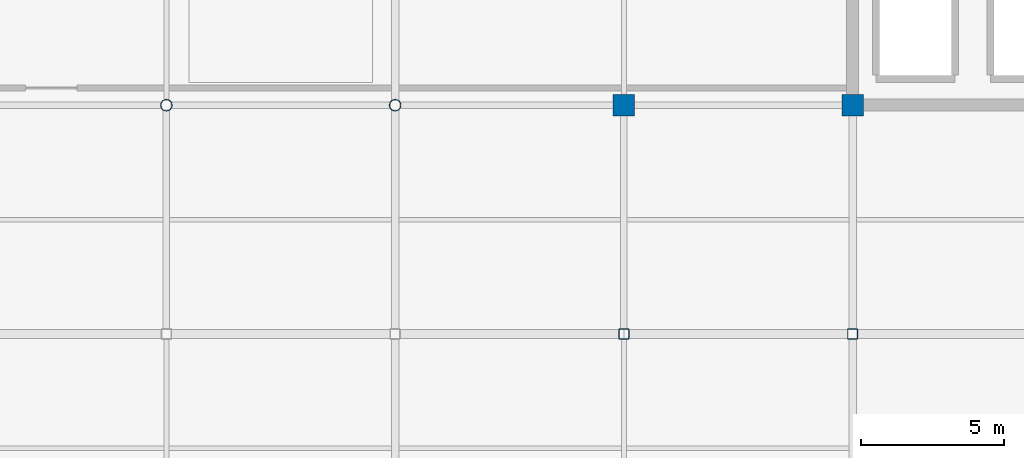
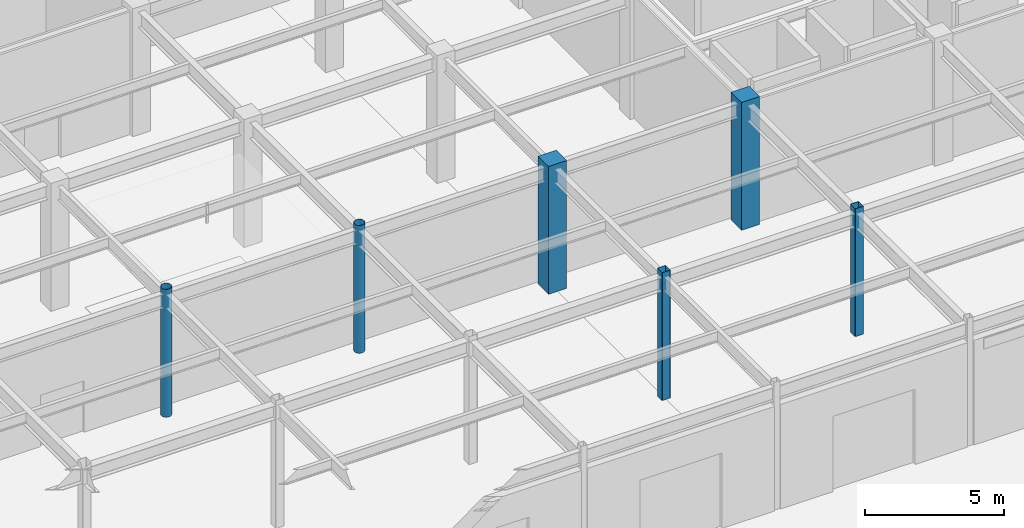
# One storey, part 29 of 128: 6 columns.
"""IFC4 building model written with IfcOpenShell, lengths in metres."""

import ifcopenshell
import ifcopenshell.guid

model = None  # the IFC model being written
_history = None  # IfcOwnerHistory: only IFC2X3 demands one
_inside = {}  # id of a spatial element -> (the spatial element, [elements in it])
_under = {}  # id of a project, library or spatial element -> (it, [spatial elements below it])
_declared = {}  # id of a project -> (the project, [libraries it declares])
_typed = {}  # id of a type object -> (the type object, [elements of that type])
_made_of = {}  # id of a material, layer set ... -> (it, [elements and type objects made of it])


def new_model(schema):
    """Start an empty IFC model of exactly this schema.

    Asked for "IFC4X3", IfcOpenShell would pick the latest addendum, in which some entities
    have other attributes; the version numbers below select the first issue.
    IFC2X3 requires an IfcOwnerHistory on every rooted entity: one is made here for all.
    """
    global model, _history
    if schema == "IFC4X3":
        model = ifcopenshell.file(schema_version=(4, 3, 0, 0))
    else:
        model = ifcopenshell.file(schema=schema)
    _inside.clear()
    _under.clear()
    _declared.clear()
    _typed.clear()
    _made_of.clear()
    _history = None
    if model.schema == "IFC2X3":
        org = make("IfcOrganization", Name="unknown")
        user = make(
            "IfcPersonAndOrganization",
            ThePerson=make("IfcPerson", FamilyName="unknown"),
            TheOrganization=org,
        )
        app = make(
            "IfcApplication",
            ApplicationDeveloper=org,
            Version="unknown",
            ApplicationFullName="unknown",
            ApplicationIdentifier="unknown",
        )
        _history = make(
            "IfcOwnerHistory",
            OwningUser=user,
            OwningApplication=app,
            ChangeAction="ADDED",
            CreationDate=0,
        )
    return model


def make(cls, **values):
    """One entity of the class cls with the attributes given. An attribute that is None is left unset."""
    return model.create_entity(
        cls, **{name: value for name, value in values.items() if value is not None}
    )


def rooted(cls, **values):
    """An entity with a GlobalId (a new one), such as an element, a storey or a relation."""
    return make(cls, GlobalId=ifcopenshell.guid.new(), OwnerHistory=_history, **values)


def si_unit(unit_type, name, prefix=None):
    """IfcSIUnit, for example si_unit("LENGTHUNIT", "METRE", prefix="MILLI")."""
    return make("IfcSIUnit", UnitType=unit_type, Prefix=prefix, Name=name)


def assignment(units):
    """IfcUnitAssignment: the units of a project."""
    return None if units is None else make("IfcUnitAssignment", Units=units)


def point(xyz):
    """IfcCartesianPoint."""
    return None if xyz is None else make("IfcCartesianPoint", Coordinates=xyz)


def direction(xyz):
    """IfcDirection."""
    return None if xyz is None else make("IfcDirection", DirectionRatios=xyz)


def frame(location, z_axis=None, x_axis=None):
    """IfcAxis2Placement3D, a coordinate frame: its origin and axes. An axis left out is left unset."""
    return make(
        "IfcAxis2Placement3D",
        Location=point(location),
        Axis=direction(z_axis),
        RefDirection=direction(x_axis),
    )


def frame_2d(location, x_axis=None):
    """IfcAxis2Placement2D, a coordinate frame in the plane: its origin and x axis."""
    return make(
        "IfcAxis2Placement2D", Location=point(location), RefDirection=direction(x_axis)
    )


def origin():
    """The frame at (0, 0, 0) with its axes left unset."""
    return frame((0.0, 0.0, 0.0))


def origin_2d():
    """The frame at (0, 0) in the plane with its x axis left unset."""
    return frame_2d((0.0, 0.0))


def place(relative_to, where):
    """IfcLocalPlacement: puts the frame where relative to a parent placement (None: the world)."""
    return make(
        "IfcLocalPlacement", PlacementRelTo=relative_to, RelativePlacement=where
    )


def context(
    kind, dimensions, precision=None, world=None, true_north=None, identifier=None
):
    """IfcGeometricRepresentationContext, for example the 3D "Model" context."""
    return make(
        "IfcGeometricRepresentationContext",
        ContextIdentifier=identifier,
        ContextType=kind,
        CoordinateSpaceDimension=dimensions,
        Precision=precision,
        WorldCoordinateSystem=world,
        TrueNorth=true_north,
    )


def subcontext(parent, identifier, kind, view, scale=None):
    """IfcGeometricRepresentationSubContext, for example "Body" below "Model"."""
    return make(
        "IfcGeometricRepresentationSubContext",
        ContextIdentifier=identifier,
        ContextType=kind,
        ParentContext=parent,
        TargetScale=scale,
        TargetView=view,
    )


def project(units=None, contexts=None):
    """IfcProject with its units and contexts."""
    return rooted(
        "IfcProject",
        Name="project",
        RepresentationContexts=contexts,
        UnitsInContext=assignment(units),
    )


def spatial(cls, under=None, at=None, **own):
    """A site, building, storey or space (cls), placed at a placement, below another one or the project."""
    s = rooted(cls, ObjectPlacement=at, **own)
    if under is not None:
        _under.setdefault(under.id(), (under, []))[1].append(s)
    return s


def profile(cls, at=None, kind="AREA", **sizes):
    """A parametric profile (cls). Its sizes go by their IFC names, for example OverallWidth=200.0."""
    return make(cls, ProfileType=kind, Position=at, **sizes)


def rectangle(**sizes):
    """IfcRectangleProfileDef."""
    return profile("IfcRectangleProfileDef", **sizes)


def hollow_rectangle(**sizes):
    """IfcRectangleHollowProfileDef."""
    return profile("IfcRectangleHollowProfileDef", **sizes)


def hollow_circle(**sizes):
    """IfcCircleHollowProfileDef."""
    return profile("IfcCircleHollowProfileDef", **sizes)


def extrude(swept, where, along, depth):
    """IfcExtrudedAreaSolid: the profile swept, set in the frame where, extruded along a direction by depth."""
    return make(
        "IfcExtrudedAreaSolid",
        SweptArea=swept,
        Position=where,
        ExtrudedDirection=direction(along),
        Depth=depth,
    )


def shape(context_of_items, identifier, shape_type, items):
    """IfcShapeRepresentation: the items that make up one representation, for example the "Body"."""
    return make(
        "IfcShapeRepresentation",
        ContextOfItems=context_of_items,
        RepresentationIdentifier=identifier,
        RepresentationType=shape_type,
        Items=items,
    )


def material(Name=None, Category=None):
    """IfcMaterial."""
    return make("IfcMaterial", Name=Name, Category=Category)


def material_profile(
    of_material, cross_section, Name=None, Category=None, Priority=None
):
    """IfcMaterialProfile: a cross section and its material."""
    return make(
        "IfcMaterialProfile",
        Name=Name,
        Material=of_material,
        Profile=cross_section,
        Priority=Priority,
        Category=Category,
    )


def profile_set(profiles, Name=None, composite=None):
    """IfcMaterialProfileSet."""
    return make(
        "IfcMaterialProfileSet",
        Name=Name,
        MaterialProfiles=profiles,
        CompositeProfile=composite,
    )


def made_of(thing, what):
    """Note that an element or type object is made of a material, layer set ...; save() writes the relation."""
    if what is not None:
        _made_of.setdefault(what.id(), (what, []))[1].append(thing)
    return thing


def type_object(cls, material=None, **own):
    """A type object (cls), such as IfcWallType, which elements share."""
    return made_of(rooted(cls, **own), material)


def element(
    cls,
    number,
    at=None,
    inside=None,
    cuts=None,
    type_object=None,
    material=None,
    context=None,
    identifier="Body",
    shape_type=None,
    held_by="IfcProductDefinitionShape",
    body=None,
    shapes=None,
    **own,
):
    """One element of the class cls, such as IfcWall. Its Tag is "e" and its number.

    at: its placement. inside: the storey or other place that contains it. cuts: it is an
    opening in that element (IfcRelVoidsElement). A single representation is given by context,
    identifier, shape_type and body (its items); several are given by shapes. held_by: the class
    of the entity that holds the representations. save() writes the other relations.
    """
    e = rooted(cls, Tag="e%d" % number, ObjectPlacement=at, **own)
    if body is not None:
        shapes = [shape(context, identifier, shape_type, body)]
    if shapes is not None:
        e.Representation = make(held_by, Representations=shapes)
    if inside is not None:
        _inside.setdefault(inside.id(), (inside, []))[1].append(e)
    if cuts is not None:
        rooted(
            "IfcRelVoidsElement", RelatingBuildingElement=cuts, RelatedOpeningElement=e
        )
    if type_object is not None:
        _typed.setdefault(type_object.id(), (type_object, []))[1].append(e)
    return made_of(e, material)


def aggregate(whole, parts):
    """IfcRelAggregates: a whole, such as a stair, and the parts it consists of."""
    return rooted("IfcRelAggregates", RelatingObject=whole, RelatedObjects=parts)


def save(model, path):
    """Write the relations noted so far, then the file.

    IfcRelAggregates (storeys below a building ...), IfcRelContainedInSpatialStructure (elements
    in a storey), IfcRelDefinesByType, IfcRelAssociatesMaterial and IfcRelDeclares: one each for
    every whole, place, type object, material and project.
    """
    for whole, parts in _under.values():
        aggregate(whole, parts)
    for where, things in _inside.values():
        rooted(
            "IfcRelContainedInSpatialStructure",
            RelatedElements=things,
            RelatingStructure=where,
        )
    for kind, things in _typed.values():
        rooted("IfcRelDefinesByType", RelatedObjects=things, RelatingType=kind)
    for what, things in _made_of.values():
        rooted("IfcRelAssociatesMaterial", RelatedObjects=things, RelatingMaterial=what)
    for by, libraries in _declared.values():
        rooted("IfcRelDeclares", RelatingContext=by, RelatedDefinitions=libraries)
    model.write(path)


model = new_model("IFC4")

# Units and contexts
model_context = context("Model", 3, precision=1e-05, world=origin(), true_north=direction((0.0, 1.0)))
body_context = subcontext(model_context, "Body", "Model", "MODEL_VIEW")
ifc_project = project(units=[si_unit("LENGTHUNIT", "METRE"), si_unit("AREAUNIT", "SQUARE_METRE"), si_unit("VOLUMEUNIT", "CUBIC_METRE"), si_unit("PLANEANGLEUNIT", "RADIAN"), si_unit("MASSUNIT", "GRAM", prefix="KILO")], contexts=[model_context])

# Site, building, storey
site_placement = place(None, origin())
site = spatial("IfcSite", under=ifc_project, at=site_placement, CompositionType="ELEMENT")
building_placement = place(site_placement, origin())
building = spatial("IfcBuilding", under=site, at=building_placement, Name="Solmirada Galleria", CompositionType="ELEMENT")
storey_placement = place(building_placement, origin())
storey = spatial("IfcBuildingStorey", under=building, at=storey_placement, Name="L00", CompositionType="ELEMENT", Elevation=0.0)

# Columns
ifc_material_1 = material(Name="Steel S355 / ASTM A500 Grade C", Category="steel")
ifc_material_profile_1 = material_profile(ifc_material_1, hollow_circle(Radius=0.202880859375, WallThickness=0.01171875, at=origin_2d()), Name="HSS16.000X0.500")
ifc_profile_set_1 = profile_set([ifc_material_profile_1], Name="Steel S355 / ASTM A500 Grade C")
column_type_1 = type_object("IfcColumnType", Name="COL-CHS16", PredefinedType="COLUMN", material=ifc_profile_set_1)
for number, where, z_axis, x_axis, name in (
    (1, (136.0, 88.0, 0.0), (0.0, 0.0, 1.0), (1.0, 0.0, 0.0), "Structural column L00-1161"),
    (2, (144.0, 88.0, 0.0), (0.0, 0.0, 1.0), (1.0, 0.0, 0.0), "Structural column L00-1247"),
):
    element("IfcColumn", number, at=place(storey_placement, frame(where, z_axis=z_axis, x_axis=x_axis)), inside=storey, type_object=column_type_1, Name=name, PredefinedType="COLUMN", context=body_context, shape_type="SweptSolid", body=[
        extrude(hollow_circle(Radius=0.202880859375, WallThickness=0.01171875, at=origin_2d()), origin(), (0.0, 0.0, 1.0), 5.60009765625),
    ])
ifc_material_profile_2 = material_profile(ifc_material_1, hollow_rectangle(XDim=0.35595703125, YDim=0.35595703125, WallThickness=0.01171875, InnerFilletRadius=0.01171875, OuterFilletRadius=0.023681640625, at=origin_2d()), Name="HSS14X14X1/2")
ifc_profile_set_2 = profile_set([ifc_material_profile_2], Name="Steel S355 / ASTM A500 Grade C")
column_type_2 = type_object("IfcColumnType", Name="COL-HSS14", PredefinedType="COLUMN", material=ifc_profile_set_2)
for number, where, z_axis, x_axis, name in (
    (3, (152.0, 80.0, 0.0), (0.0, 0.0, 1.0), (1.0, 0.0, 0.0), "Structural column L00-1315"),
    (4, (160.0, 80.0, 0.0), (0.0, 0.0, 1.0), (1.0, 0.0, 0.0), "Structural column L00-1388"),
):
    element("IfcColumn", number, at=place(storey_placement, frame(where, z_axis=z_axis, x_axis=x_axis)), inside=storey, type_object=column_type_2, Name=name, PredefinedType="COLUMN", context=body_context, shape_type="SweptSolid", body=[
        extrude(hollow_rectangle(XDim=0.35595703125, YDim=0.35595703125, WallThickness=0.01171875, InnerFilletRadius=0.01171875, OuterFilletRadius=0.023681640625, at=origin_2d()), origin(), (0.0, 0.0, 1.0), 5.60009765625),
    ])
ifc_material_2 = material(Name="Concrete C40/50", Category="concrete")
ifc_material_profile_3 = material_profile(ifc_material_2, rectangle(XDim=0.75, YDim=0.75, at=origin_2d()), Name="RC750X750")
ifc_profile_set_3 = profile_set([ifc_material_profile_3], Name="Concrete C40/50")
column_type_3 = type_object("IfcColumnType", Name="COL-RC750", PredefinedType="COLUMN", material=ifc_profile_set_3)
for number, where, z_axis, x_axis, name in (
    (5, (152.0, 88.0, 0.0), (0.0, 0.0, 1.0), (1.0, 0.0, 0.0), "Structural column L00-1320"),
    (6, (160.0, 88.0, 0.0), (0.0, 0.0, 1.0), (1.0, 0.0, 0.0), "Structural column L00-1393"),
):
    element("IfcColumn", number, at=place(storey_placement, frame(where, z_axis=z_axis, x_axis=x_axis)), inside=storey, type_object=column_type_3, Name=name, PredefinedType="COLUMN", context=body_context, shape_type="SweptSolid", body=[
        extrude(rectangle(XDim=0.75, YDim=0.75, at=origin_2d()), origin(), (0.0, 0.0, 1.0), 5.60009765625),
    ])

save(model, "model.ifc")
